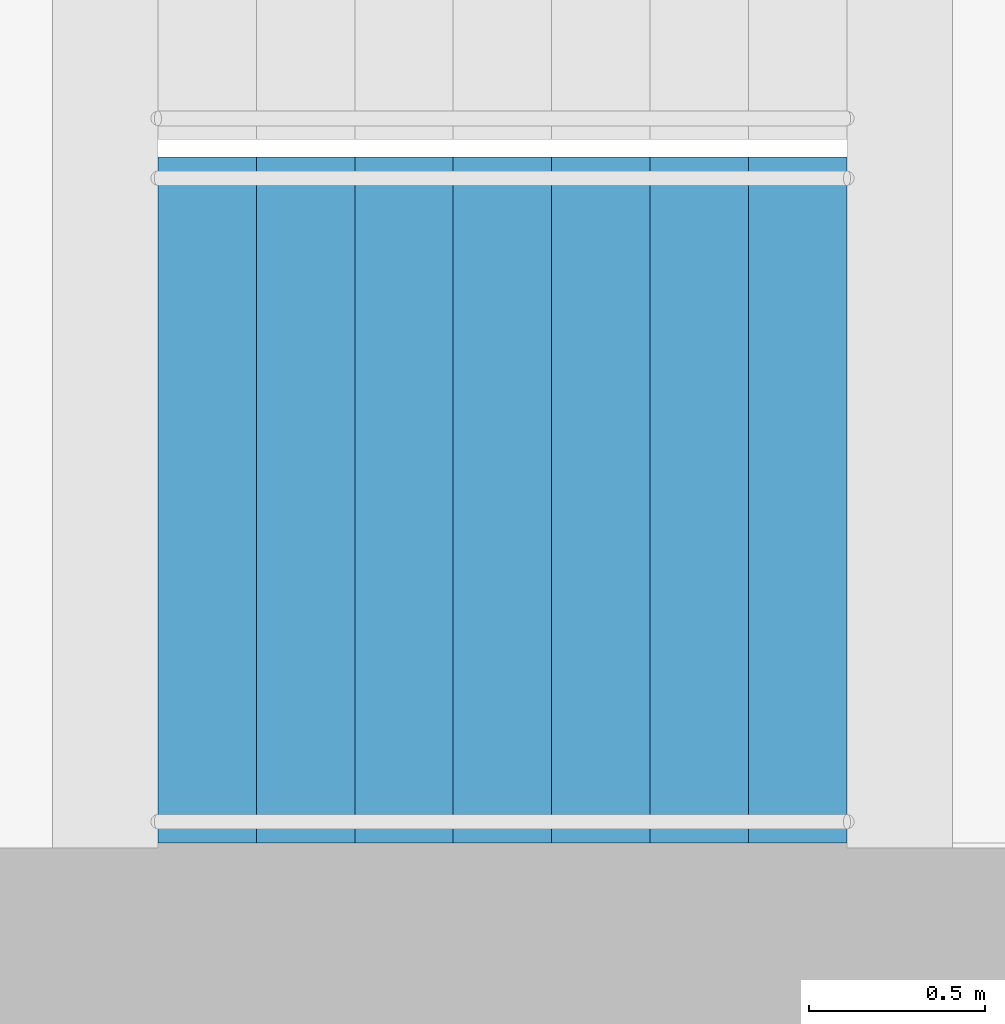
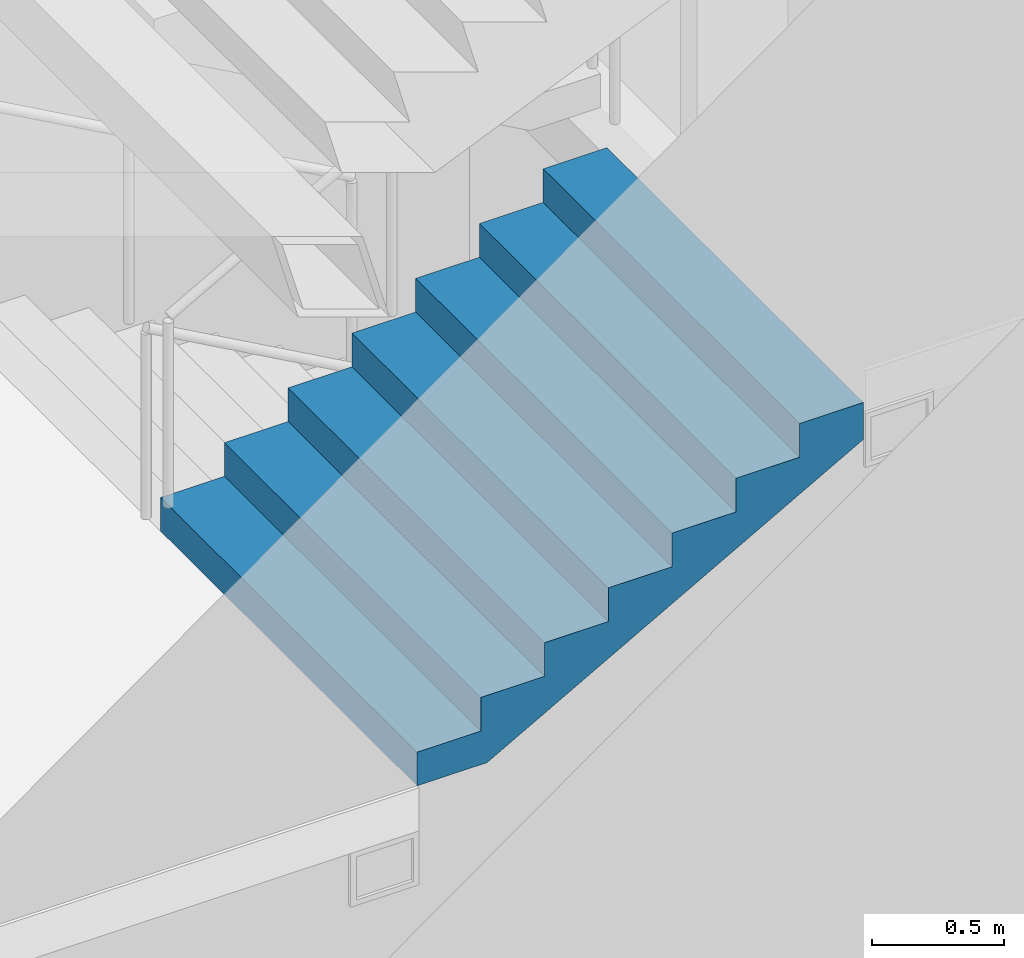
# One storey, part 22 of 26: 1 stair flight, 1 element without a shape of its own.
"""IFC4 building model written with IfcOpenShell, lengths in metres."""

from ifc_helpers import new_model, si_unit, direction, frame, origin, place, context, subcontext, project, spatial, triangles, material, type_object, element, aggregate, save


model = new_model("IFC4")

# Units and contexts
model_context = context("Model", 3, precision=1e-05, world=origin(), true_north=direction((0.0, 1.0)))
body_context = subcontext(model_context, "Body", "Model", "MODEL_VIEW")
ifc_project = project(units=[si_unit("LENGTHUNIT", "METRE"), si_unit("AREAUNIT", "SQUARE_METRE"), si_unit("VOLUMEUNIT", "CUBIC_METRE"), si_unit("PLANEANGLEUNIT", "RADIAN"), si_unit("MASSUNIT", "GRAM", prefix="KILO")], contexts=[model_context])

# Site, building, storey
site_placement = place(None, origin())
site = spatial("IfcSite", under=ifc_project, at=site_placement, CompositionType="ELEMENT")
building_placement = place(site_placement, origin())
building = spatial("IfcBuilding", under=site, at=building_placement, Name="Orbita Commons", CompositionType="ELEMENT")
storey_placement = place(building_placement, frame((0.0, 0.0, 11.0)))
storey = spatial("IfcBuildingStorey", under=building, at=storey_placement, Name="L02", CompositionType="ELEMENT", Elevation=11.0)

# Stair, stair flight
ifc_material_1 = material(Name="Precast concrete C40/50", Category="concrete")
stair_type = type_object("IfcStairType", Name="Exit stair S2 4 flights 8 risers 156", PredefinedType="HALF_TURN_STAIR", material=ifc_material_1)
stair_placement = place(storey_placement, origin())
stair = element("IfcStair", 1, at=stair_placement, inside=storey, type_object=stair_type, Name="Exit stair S2 L02", PredefinedType="HALF_TURN_STAIR")
ifc_material_2 = material(Name="Precast concrete C40/50", Category="concrete")
stair_flight_type = type_object("IfcStairFlightType", Name="Stair flight 8 risers 156 x 280", PredefinedType="STRAIGHT", material=ifc_material_2)
stair_flight_placement = place(storey_placement, frame((61.590087890625, 27.27490234375, 1.25), z_axis=(0.0, 0.0, 1.0), x_axis=(1.0, 0.0, 0.0)))
stair_flight = element("IfcStairFlight", 2, at=stair_flight_placement, type_object=stair_flight_type, Name="S2 flight 2", NumberOfRisers=8, NumberOfTreads=7, PredefinedType="STRAIGHT", RiserHeight=0.15625, TreadLength=0.28, context=body_context, shape_type="Tessellation", body=[
    triangles([(0.0, 0.974976, 0.0), (0.0, 0.974976, 0.019531), (0.0, 0.81248, 0.019531), (0.0, 0.81248, 0.0), (0.0, 0.649984, 0.019531), (0.0, 0.649984, 0.0), (0.0, 0.487488, 0.019531), (0.0, 0.487488, 0.0), (0.0, 0.324992, 0.019531), (0.0, 0.324992, 0.0), (0.0, 0.162496, 0.019531), (0.0, 0.162496, 0.0), (0.0, 0.0, 0.019531), (0.0, 0.0, 0.0), (0.0, -0.162496, 0.019531), (0.0, -0.162496, 0.0), (0.0, -0.324992, 0.019531), (0.0, -0.324992, 0.0), (0.0, -0.487488, 0.019531), (0.0, -0.487488, 0.0), (0.0, -0.649984, 0.019531), (0.0, -0.649984, 0.0), (0.0, -0.81248, 0.019531), (0.0, -0.81248, 0.0), (0.0, -0.974976, 0.019531), (0.0, -0.974976, 0.0), (0.0, 0.974976, 0.039062), (0.0, 0.81248, 0.039062), (0.0, 0.649984, 0.039062), (0.0, 0.487488, 0.039062), (0.0, 0.324992, 0.039062), (0.0, 0.162496, 0.039062), (0.0, 0.0, 0.039062), (0.0, -0.162496, 0.039062), (0.0, -0.324992, 0.039062), (0.0, -0.487488, 0.039062), (0.0, -0.649984, 0.039062), (0.0, -0.81248, 0.039062), (0.0, -0.974976, 0.039062), (0.0, 0.974976, 0.058594), (0.0, 0.81248, 0.058594), (0.0, 0.649984, 0.058594), (0.0, 0.487488, 0.058594), (0.0, 0.324992, 0.058594), (0.0, 0.162496, 0.058594), (0.0, 0.0, 0.058594), (0.0, -0.162496, 0.058594), (0.0, -0.324992, 0.058594), (0.0, -0.487488, 0.058594), (0.0, -0.649984, 0.058594), (0.0, -0.81248, 0.058594), (0.0, -0.974976, 0.058594), (0.0, 0.974976, 0.078125), (0.0, 0.81248, 0.078125), (0.0, 0.649984, 0.078125), (0.0, 0.487488, 0.078125), (0.0, 0.324992, 0.078125), (0.0, 0.162496, 0.078125), (0.0, 0.0, 0.078125), (0.0, -0.162496, 0.078125), (0.0, -0.324992, 0.078125), (0.0, -0.487488, 0.078125), (0.0, -0.649984, 0.078125), (0.0, -0.81248, 0.078125), (0.0, -0.974976, 0.078125), (0.0, 0.974976, 0.097656), (0.0, 0.81248, 0.097656), (0.0, 0.649984, 0.097656), (0.0, 0.487488, 0.097656), (0.0, 0.324992, 0.097656), (0.0, 0.162496, 0.097656), (0.0, 0.0, 0.097656), (0.0, -0.162496, 0.097656), (0.0, -0.324992, 0.097656), (0.0, -0.487488, 0.097656), (0.0, -0.649984, 0.097656), (0.0, -0.81248, 0.097656), (0.0, -0.974976, 0.097656), (0.0, 0.974976, 0.117188), (0.0, 0.81248, 0.117188), (0.0, 0.649984, 0.117188), (0.0, 0.487488, 0.117188), (0.0, 0.324992, 0.117188), (0.0, 0.162496, 0.117188), (0.0, 0.0, 0.117188), (0.0, -0.162496, 0.117188), (0.0, -0.324992, 0.117188), (0.0, -0.487488, 0.117188), (0.0, -0.649984, 0.117188), (0.0, -0.81248, 0.117188), (0.0, -0.974976, 0.117188), (0.0, 0.974976, 0.136719), (0.0, 0.81248, 0.136719), (0.0, 0.649984, 0.136719), (0.0, 0.487488, 0.136719), (0.0, 0.324992, 0.136719), (0.0, 0.162496, 0.136719), (0.0, 0.0, 0.136719), (0.0, -0.162496, 0.136719), (0.0, -0.324992, 0.136719), (0.0, -0.487488, 0.136719), (0.0, -0.649984, 0.136719), (0.0, -0.81248, 0.136719), (0.0, -0.974976, 0.136719), (0.0, 0.974976, 0.15625), (0.0, 0.81248, 0.15625), (0.0, 0.649984, 0.15625), (0.0, 0.487488, 0.15625), (0.0, 0.324992, 0.15625), (0.0, 0.162496, 0.15625), (0.0, 0.0, 0.15625), (0.0, -0.162496, 0.15625), (0.0, -0.324992, 0.15625), (0.0, -0.487488, 0.15625), (0.0, -0.649984, 0.15625), (0.0, -0.81248, 0.15625), (0.0, -0.974976, 0.15625), (0.28, 0.974976, 0.15625), (0.28, 0.81248, 0.15625), (0.28, 0.649984, 0.15625), (0.28, 0.487488, 0.15625), (0.28, 0.324992, 0.15625), (0.28, 0.162496, 0.15625), (0.28, 0.0, 0.15625), (0.28, -0.162496, 0.15625), (0.28, -0.324992, 0.15625), (0.28, -0.487488, 0.15625), (0.28, -0.649984, 0.15625), (0.28, -0.81248, 0.15625), (0.28, -0.974976, 0.15625), (0.28, 0.974976, 0.3125), (0.28, 0.81248, 0.3125), (0.28, 0.649984, 0.3125), (0.28, 0.487488, 0.3125), (0.28, 0.324992, 0.3125), (0.28, 0.162496, 0.3125), (0.28, 0.0, 0.3125), (0.28, -0.162496, 0.3125), (0.28, -0.324992, 0.3125), (0.28, -0.487488, 0.3125), (0.28, -0.649984, 0.3125), (0.28, -0.81248, 0.3125), (0.28, -0.974976, 0.3125), (0.56, 0.974976, 0.3125), (0.56, 0.81248, 0.3125), (0.56, 0.649984, 0.3125), (0.56, 0.487488, 0.3125), (0.56, 0.324992, 0.3125), (0.56, 0.162496, 0.3125), (0.56, 0.0, 0.3125), (0.56, -0.162496, 0.3125), (0.56, -0.324992, 0.3125), (0.56, -0.487488, 0.3125), (0.56, -0.649984, 0.3125), (0.56, -0.81248, 0.3125), (0.56, -0.974976, 0.3125), (0.56, 0.974976, 0.46875), (0.56, 0.81248, 0.46875), (0.56, 0.649984, 0.46875), (0.56, 0.487488, 0.46875), (0.56, 0.324992, 0.46875), (0.56, 0.162496, 0.46875), (0.56, 0.0, 0.46875), (0.56, -0.162496, 0.46875), (0.56, -0.324992, 0.46875), (0.56, -0.487488, 0.46875), (0.56, -0.649984, 0.46875), (0.56, -0.81248, 0.46875), (0.56, -0.974976, 0.46875), (0.84, 0.974976, 0.46875), (0.84, 0.81248, 0.46875), (0.84, 0.649984, 0.46875), (0.84, 0.487488, 0.46875), (0.84, 0.324992, 0.46875), (0.84, 0.162496, 0.46875), (0.84, 0.0, 0.46875), (0.84, -0.162496, 0.46875), (0.84, -0.324992, 0.46875), (0.84, -0.487488, 0.46875), (0.84, -0.649984, 0.46875), (0.84, -0.81248, 0.46875), (0.84, -0.974976, 0.46875), (0.84, 0.974976, 0.625), (0.84, 0.81248, 0.625), (0.84, 0.649984, 0.625), (0.84, 0.487488, 0.625), (0.84, 0.324992, 0.625), (0.84, 0.162496, 0.625), (0.84, 0.0, 0.625), (0.84, -0.162496, 0.625), (0.84, -0.324992, 0.625), (0.84, -0.487488, 0.625), (0.84, -0.649984, 0.625), (0.84, -0.81248, 0.625), (0.84, -0.974976, 0.625), (1.12, 0.974976, 0.625), (1.12, 0.81248, 0.625), (1.12, 0.649984, 0.625), (1.12, 0.487488, 0.625), (1.12, 0.324992, 0.625), (1.12, 0.162496, 0.625), (1.12, 0.0, 0.625), (1.12, -0.162496, 0.625), (1.12, -0.324992, 0.625), (1.12, -0.487488, 0.625), (1.12, -0.649984, 0.625), (1.12, -0.81248, 0.625), (1.12, -0.974976, 0.625), (1.12, 0.974976, 0.78125), (1.12, 0.81248, 0.78125), (1.12, 0.649984, 0.78125), (1.12, 0.487488, 0.78125), (1.12, 0.324992, 0.78125), (1.12, 0.162496, 0.78125), (1.12, 0.0, 0.78125), (1.12, -0.162496, 0.78125), (1.12, -0.324992, 0.78125), (1.12, -0.487488, 0.78125), (1.12, -0.649984, 0.78125), (1.12, -0.81248, 0.78125), (1.12, -0.974976, 0.78125), (1.4, 0.974976, 0.78125), (1.4, 0.81248, 0.78125), (1.4, 0.649984, 0.78125), (1.4, 0.487488, 0.78125), (1.4, 0.324992, 0.78125), (1.4, 0.162496, 0.78125), (1.4, 0.0, 0.78125), (1.4, -0.162496, 0.78125), (1.4, -0.324992, 0.78125), (1.4, -0.487488, 0.78125), (1.4, -0.649984, 0.78125), (1.4, -0.81248, 0.78125), (1.4, -0.974976, 0.78125), (1.4, 0.974976, 0.9375), (1.4, 0.81248, 0.9375), (1.4, 0.649984, 0.9375), (1.4, 0.487488, 0.9375), (1.4, 0.324992, 0.9375), (1.4, 0.162496, 0.9375), (1.4, 0.0, 0.9375), (1.4, -0.162496, 0.9375), (1.4, -0.324992, 0.9375), (1.4, -0.487488, 0.9375), (1.4, -0.649984, 0.9375), (1.4, -0.81248, 0.9375), (1.4, -0.974976, 0.9375), (1.68, 0.974976, 0.9375), (1.68, 0.81248, 0.9375), (1.68, 0.649984, 0.9375), (1.68, 0.487488, 0.9375), (1.68, 0.324992, 0.9375), (1.68, 0.162496, 0.9375), (1.68, 0.0, 0.9375), (1.68, -0.162496, 0.9375), (1.68, -0.324992, 0.9375), (1.68, -0.487488, 0.9375), (1.68, -0.649984, 0.9375), (1.68, -0.81248, 0.9375), (1.68, -0.974976, 0.9375), (1.68, 0.974976, 1.09375), (1.68, 0.81248, 1.09375), (1.68, 0.649984, 1.09375), (1.68, 0.487488, 1.09375), (1.68, 0.324992, 1.09375), (1.68, 0.162496, 1.09375), (1.68, 0.0, 1.09375), (1.68, -0.162496, 1.09375), (1.68, -0.324992, 1.09375), (1.68, -0.487488, 1.09375), (1.68, -0.649984, 1.09375), (1.68, -0.81248, 1.09375), (1.68, -0.974976, 1.09375), (1.96, 0.974976, 1.09375), (1.96, 0.81248, 1.09375), (1.96, 0.649984, 1.09375), (1.96, 0.487488, 1.09375), (1.96, 0.324992, 1.09375), (1.96, 0.162496, 1.09375), (1.96, 0.0, 1.09375), (1.96, -0.162496, 1.09375), (1.96, -0.324992, 1.09375), (1.96, -0.487488, 1.09375), (1.96, -0.649984, 1.09375), (1.96, -0.81248, 1.09375), (1.96, -0.974976, 1.09375), (1.96, 0.974976, 1.072292), (1.96, 0.81248, 1.072292), (1.96, 0.649984, 1.072292), (1.96, 0.487488, 1.072292), (1.96, 0.324992, 1.072292), (1.96, 0.162496, 1.072292), (1.96, 0.0, 1.072292), (1.96, -0.162496, 1.072292), (1.96, -0.324992, 1.072292), (1.96, -0.487488, 1.072292), (1.96, -0.649984, 1.072292), (1.96, -0.81248, 1.072292), (1.96, -0.974976, 1.072292), (1.96, 0.974976, 1.050834), (1.96, 0.81248, 1.050834), (1.96, 0.649984, 1.050834), (1.96, 0.487488, 1.050834), (1.96, 0.324992, 1.050834), (1.96, 0.162496, 1.050834), (1.96, 0.0, 1.050834), (1.96, -0.162496, 1.050834), (1.96, -0.324992, 1.050834), (1.96, -0.487488, 1.050834), (1.96, -0.649984, 1.050834), (1.96, -0.81248, 1.050834), (1.96, -0.974976, 1.050834), (1.96, 0.974976, 1.029376), (1.96, 0.81248, 1.029376), (1.96, 0.649984, 1.029376), (1.96, 0.487488, 1.029376), (1.96, 0.324992, 1.029376), (1.96, 0.162496, 1.029376), (1.96, 0.0, 1.029376), (1.96, -0.162496, 1.029376), (1.96, -0.324992, 1.029376), (1.96, -0.487488, 1.029376), (1.96, -0.649984, 1.029376), (1.96, -0.81248, 1.029376), (1.96, -0.974976, 1.029376), (1.96, 0.974976, 1.007919), (1.96, 0.81248, 1.007919), (1.96, 0.649984, 1.007919), (1.96, 0.487488, 1.007919), (1.96, 0.324992, 1.007919), (1.96, 0.162496, 1.007919), (1.96, 0.0, 1.007919), (1.96, -0.162496, 1.007919), (1.96, -0.324992, 1.007919), (1.96, -0.487488, 1.007919), (1.96, -0.649984, 1.007919), (1.96, -0.81248, 1.007919), (1.96, -0.974976, 1.007919), (1.96, 0.974976, 0.986461), (1.96, 0.81248, 0.986461), (1.96, 0.649984, 0.986461), (1.96, 0.487488, 0.986461), (1.96, 0.324992, 0.986461), (1.96, 0.162496, 0.986461), (1.96, 0.0, 0.986461), (1.96, -0.162496, 0.986461), (1.96, -0.324992, 0.986461), (1.96, -0.487488, 0.986461), (1.96, -0.649984, 0.986461), (1.96, -0.81248, 0.986461), (1.96, -0.974976, 0.986461), (1.96, 0.974976, 0.965003), (1.96, 0.81248, 0.965003), (1.96, 0.649984, 0.965003), (1.96, 0.487488, 0.965003), (1.96, 0.324992, 0.965003), (1.96, 0.162496, 0.965003), (1.96, 0.0, 0.965003), (1.96, -0.162496, 0.965003), (1.96, -0.324992, 0.965003), (1.96, -0.487488, 0.965003), (1.96, -0.649984, 0.965003), (1.96, -0.81248, 0.965003), (1.96, -0.974976, 0.965003), (1.96, 0.974976, 0.943545), (1.96, 0.81248, 0.943545), (1.96, 0.649984, 0.943545), (1.96, 0.487488, 0.943545), (1.96, 0.324992, 0.943545), (1.96, 0.162496, 0.943545), (1.96, 0.0, 0.943545), (1.96, -0.162496, 0.943545), (1.96, -0.324992, 0.943545), (1.96, -0.487488, 0.943545), (1.96, -0.649984, 0.943545), (1.96, -0.81248, 0.943545), (1.96, -0.974976, 0.943545), (1.96, 0.974976, 0.922087), (1.96, 0.81248, 0.922087), (1.96, 0.649984, 0.922087), (1.96, 0.487488, 0.922087), (1.96, 0.324992, 0.922087), (1.96, 0.162496, 0.922087), (1.96, 0.0, 0.922087), (1.96, -0.162496, 0.922087), (1.96, -0.324992, 0.922087), (1.96, -0.487488, 0.922087), (1.96, -0.649984, 0.922087), (1.96, -0.81248, 0.922087), (1.96, -0.974976, 0.922087), (0.30762, 0.974976, 0.0), (0.30762, 0.81248, 0.0), (0.30762, 0.649984, 0.0), (0.30762, 0.487488, 0.0), (0.30762, 0.324992, 0.0), (0.30762, 0.162496, 0.0), (0.30762, 0.0, 0.0), (0.30762, -0.162496, 0.0), (0.30762, -0.324992, 0.0), (0.30762, -0.487488, 0.0), (0.30762, -0.649984, 0.0), (0.30762, -0.81248, 0.0), (0.30762, -0.974976, 0.0)], [[3, 2, 1], [4, 3, 1], [5, 3, 4], [6, 5, 4], [7, 5, 6], [8, 7, 6], [9, 7, 8], [10, 9, 8], [11, 9, 10], [12, 11, 10], [13, 11, 12], [14, 13, 12], [15, 13, 14], [16, 15, 14], [17, 15, 16], [18, 17, 16], [19, 17, 18], [20, 19, 18], [21, 19, 20], [22, 21, 20], [23, 21, 22], [24, 23, 22], [25, 23, 24], [26, 25, 24], [28, 27, 2], [3, 28, 2], [29, 28, 3], [5, 29, 3], [30, 29, 5], [7, 30, 5], [31, 30, 7], [9, 31, 7], [32, 31, 9], [11, 32, 9], [33, 32, 11], [13, 33, 11], [34, 33, 13], [15, 34, 13], [35, 34, 15], [17, 35, 15], [36, 35, 17], [19, 36, 17], [37, 36, 19], [21, 37, 19], [38, 37, 21], [23, 38, 21], [39, 38, 23], [25, 39, 23], [41, 40, 27], [28, 41, 27], [42, 41, 28], [29, 42, 28], [43, 42, 29], [30, 43, 29], [44, 43, 30], [31, 44, 30], [45, 44, 31], [32, 45, 31], [46, 45, 32], [33, 46, 32], [47, 46, 33], [34, 47, 33], [48, 47, 34], [35, 48, 34], [49, 48, 35], [36, 49, 35], [50, 49, 36], [37, 50, 36], [51, 50, 37], [38, 51, 37], [52, 51, 38], [39, 52, 38], [54, 53, 40], [41, 54, 40], [55, 54, 41], [42, 55, 41], [56, 55, 42], [43, 56, 42], [57, 56, 43], [44, 57, 43], [58, 57, 44], [45, 58, 44], [59, 58, 45], [46, 59, 45], [60, 59, 46], [47, 60, 46], [61, 60, 47], [48, 61, 47], [62, 61, 48], [49, 62, 48], [63, 62, 49], [50, 63, 49], [64, 63, 50], [51, 64, 50], [65, 64, 51], [52, 65, 51], [67, 66, 53], [54, 67, 53], [68, 67, 54], [55, 68, 54], [69, 68, 55], [56, 69, 55], [70, 69, 56], [57, 70, 56], [71, 70, 57], [58, 71, 57], [72, 71, 58], [59, 72, 58], [73, 72, 59], [60, 73, 59], [74, 73, 60], [61, 74, 60], [75, 74, 61], [62, 75, 61], [76, 75, 62], [63, 76, 62], [77, 76, 63], [64, 77, 63], [78, 77, 64], [65, 78, 64], [80, 79, 66], [67, 80, 66], [81, 80, 67], [68, 81, 67], [82, 81, 68], [69, 82, 68], [83, 82, 69], [70, 83, 69], [84, 83, 70], [71, 84, 70], [85, 84, 71], [72, 85, 71], [86, 85, 72], [73, 86, 72], [87, 86, 73], [74, 87, 73], [88, 87, 74], [75, 88, 74], [89, 88, 75], [76, 89, 75], [90, 89, 76], [77, 90, 76], [91, 90, 77], [78, 91, 77], [93, 92, 79], [80, 93, 79], [94, 93, 80], [81, 94, 80], [95, 94, 81], [82, 95, 81], [96, 95, 82], [83, 96, 82], [97, 96, 83], [84, 97, 83], [98, 97, 84], [85, 98, 84], [99, 98, 85], [86, 99, 85], [100, 99, 86], [87, 100, 86], [101, 100, 87], [88, 101, 87], [102, 101, 88], [89, 102, 88], [103, 102, 89], [90, 103, 89], [104, 103, 90], [91, 104, 90], [106, 105, 92], [93, 106, 92], [107, 106, 93], [94, 107, 93], [108, 107, 94], [95, 108, 94], [109, 108, 95], [96, 109, 95], [110, 109, 96], [97, 110, 96], [111, 110, 97], [98, 111, 97], [112, 111, 98], [99, 112, 98], [113, 112, 99], [100, 113, 99], [114, 113, 100], [101, 114, 100], [115, 114, 101], [102, 115, 101], [116, 115, 102], [103, 116, 102], [117, 116, 103], [104, 117, 103], [119, 118, 105], [106, 119, 105], [120, 119, 106], [107, 120, 106], [121, 120, 107], [108, 121, 107], [122, 121, 108], [109, 122, 108], [123, 122, 109], [110, 123, 109], [124, 123, 110], [111, 124, 110], [125, 124, 111], [112, 125, 111], [126, 125, 112], [113, 126, 112], [127, 126, 113], [114, 127, 113], [128, 127, 114], [115, 128, 114], [129, 128, 115], [116, 129, 115], [130, 129, 116], [117, 130, 116], [132, 131, 118], [119, 132, 118], [133, 132, 119], [120, 133, 119], [134, 133, 120], [121, 134, 120], [135, 134, 121], [122, 135, 121], [136, 135, 122], [123, 136, 122], [137, 136, 123], [124, 137, 123], [138, 137, 124], [125, 138, 124], [139, 138, 125], [126, 139, 125], [140, 139, 126], [127, 140, 126], [141, 140, 127], [128, 141, 127], [142, 141, 128], [129, 142, 128], [143, 142, 129], [130, 143, 129], [145, 144, 131], [132, 145, 131], [146, 145, 132], [133, 146, 132], [147, 146, 133], [134, 147, 133], [148, 147, 134], [135, 148, 134], [149, 148, 135], [136, 149, 135], [150, 149, 136], [137, 150, 136], [151, 150, 137], [138, 151, 137], [152, 151, 138], [139, 152, 138], [153, 152, 139], [140, 153, 139], [154, 153, 140], [141, 154, 140], [155, 154, 141], [142, 155, 141], [156, 155, 142], [143, 156, 142], [158, 157, 144], [145, 158, 144], [159, 158, 145], [146, 159, 145], [160, 159, 146], [147, 160, 146], [161, 160, 147], [148, 161, 147], [162, 161, 148], [149, 162, 148], [163, 162, 149], [150, 163, 149], [164, 163, 150], [151, 164, 150], [165, 164, 151], [152, 165, 151], [166, 165, 152], [153, 166, 152], [167, 166, 153], [154, 167, 153], [168, 167, 154], [155, 168, 154], [169, 168, 155], [156, 169, 155], [171, 170, 157], [158, 171, 157], [172, 171, 158], [159, 172, 158], [173, 172, 159], [160, 173, 159], [174, 173, 160], [161, 174, 160], [175, 174, 161], [162, 175, 161], [176, 175, 162], [163, 176, 162], [177, 176, 163], [164, 177, 163], [178, 177, 164], [165, 178, 164], [179, 178, 165], [166, 179, 165], [180, 179, 166], [167, 180, 166], [181, 180, 167], [168, 181, 167], [182, 181, 168], [169, 182, 168], [184, 183, 170], [171, 184, 170], [185, 184, 171], [172, 185, 171], [186, 185, 172], [173, 186, 172], [187, 186, 173], [174, 187, 173], [188, 187, 174], [175, 188, 174], [189, 188, 175], [176, 189, 175], [190, 189, 176], [177, 190, 176], [191, 190, 177], [178, 191, 177], [192, 191, 178], [179, 192, 178], [193, 192, 179], [180, 193, 179], [194, 193, 180], [181, 194, 180], [195, 194, 181], [182, 195, 181], [197, 196, 183], [184, 197, 183], [198, 197, 184], [185, 198, 184], [199, 198, 185], [186, 199, 185], [200, 199, 186], [187, 200, 186], [201, 200, 187], [188, 201, 187], [202, 201, 188], [189, 202, 188], [203, 202, 189], [190, 203, 189], [204, 203, 190], [191, 204, 190], [205, 204, 191], [192, 205, 191], [206, 205, 192], [193, 206, 192], [207, 206, 193], [194, 207, 193], [208, 207, 194], [195, 208, 194], [210, 209, 196], [197, 210, 196], [211, 210, 197], [198, 211, 197], [212, 211, 198], [199, 212, 198], [213, 212, 199], [200, 213, 199], [214, 213, 200], [201, 214, 200], [215, 214, 201], [202, 215, 201], [216, 215, 202], [203, 216, 202], [217, 216, 203], [204, 217, 203], [218, 217, 204], [205, 218, 204], [219, 218, 205], [206, 219, 205], [220, 219, 206], [207, 220, 206], [221, 220, 207], [208, 221, 207], [223, 222, 209], [210, 223, 209], [224, 223, 210], [211, 224, 210], [225, 224, 211], [212, 225, 211], [226, 225, 212], [213, 226, 212], [227, 226, 213], [214, 227, 213], [228, 227, 214], [215, 228, 214], [229, 228, 215], [216, 229, 215], [230, 229, 216], [217, 230, 216], [231, 230, 217], [218, 231, 217], [232, 231, 218], [219, 232, 218], [233, 232, 219], [220, 233, 219], [234, 233, 220], [221, 234, 220], [236, 235, 222], [223, 236, 222], [237, 236, 223], [224, 237, 223], [238, 237, 224], [225, 238, 224], [239, 238, 225], [226, 239, 225], [240, 239, 226], [227, 240, 226], [241, 240, 227], [228, 241, 227], [242, 241, 228], [229, 242, 228], [243, 242, 229], [230, 243, 229], [244, 243, 230], [231, 244, 230], [245, 244, 231], [232, 245, 231], [246, 245, 232], [233, 246, 232], [247, 246, 233], [234, 247, 233], [249, 248, 235], [236, 249, 235], [250, 249, 236], [237, 250, 236], [251, 250, 237], [238, 251, 237], [252, 251, 238], [239, 252, 238], [253, 252, 239], [240, 253, 239], [254, 253, 240], [241, 254, 240], [255, 254, 241], [242, 255, 241], [256, 255, 242], [243, 256, 242], [257, 256, 243], [244, 257, 243], [258, 257, 244], [245, 258, 244], [259, 258, 245], [246, 259, 245], [260, 259, 246], [247, 260, 246], [262, 261, 248], [249, 262, 248], [263, 262, 249], [250, 263, 249], [264, 263, 250], [251, 264, 250], [265, 264, 251], [252, 265, 251], [266, 265, 252], [253, 266, 252], [267, 266, 253], [254, 267, 253], [268, 267, 254], [255, 268, 254], [269, 268, 255], [256, 269, 255], [270, 269, 256], [257, 270, 256], [271, 270, 257], [258, 271, 257], [272, 271, 258], [259, 272, 258], [273, 272, 259], [260, 273, 259], [275, 274, 261], [262, 275, 261], [276, 275, 262], [263, 276, 262], [277, 276, 263], [264, 277, 263], [278, 277, 264], [265, 278, 264], [279, 278, 265], [266, 279, 265], [280, 279, 266], [267, 280, 266], [281, 280, 267], [268, 281, 267], [282, 281, 268], [269, 282, 268], [283, 282, 269], [270, 283, 269], [284, 283, 270], [271, 284, 270], [285, 284, 271], [272, 285, 271], [286, 285, 272], [273, 286, 272], [288, 287, 274], [275, 288, 274], [289, 288, 275], [276, 289, 275], [290, 289, 276], [277, 290, 276], [291, 290, 277], [278, 291, 277], [292, 291, 278], [279, 292, 278], [293, 292, 279], [280, 293, 279], [294, 293, 280], [281, 294, 280], [295, 294, 281], [282, 295, 281], [296, 295, 282], [283, 296, 282], [297, 296, 283], [284, 297, 283], [298, 297, 284], [285, 298, 284], [299, 298, 285], [286, 299, 285], [301, 300, 287], [288, 301, 287], [302, 301, 288], [289, 302, 288], [303, 302, 289], [290, 303, 289], [304, 303, 290], [291, 304, 290], [305, 304, 291], [292, 305, 291], [306, 305, 292], [293, 306, 292], [307, 306, 293], [294, 307, 293], [308, 307, 294], [295, 308, 294], [309, 308, 295], [296, 309, 295], [310, 309, 296], [297, 310, 296], [311, 310, 297], [298, 311, 297], [312, 311, 298], [299, 312, 298], [314, 313, 300], [301, 314, 300], [315, 314, 301], [302, 315, 301], [316, 315, 302], [303, 316, 302], [317, 316, 303], [304, 317, 303], [318, 317, 304], [305, 318, 304], [319, 318, 305], [306, 319, 305], [320, 319, 306], [307, 320, 306], [321, 320, 307], [308, 321, 307], [322, 321, 308], [309, 322, 308], [323, 322, 309], [310, 323, 309], [324, 323, 310], [311, 324, 310], [325, 324, 311], [312, 325, 311], [327, 326, 313], [314, 327, 313], [328, 327, 314], [315, 328, 314], [329, 328, 315], [316, 329, 315], [330, 329, 316], [317, 330, 316], [331, 330, 317], [318, 331, 317], [332, 331, 318], [319, 332, 318], [333, 332, 319], [320, 333, 319], [334, 333, 320], [321, 334, 320], [335, 334, 321], [322, 335, 321], [336, 335, 322], [323, 336, 322], [337, 336, 323], [324, 337, 323], [338, 337, 324], [325, 338, 324], [340, 339, 326], [327, 340, 326], [341, 340, 327], [328, 341, 327], [342, 341, 328], [329, 342, 328], [343, 342, 329], [330, 343, 329], [344, 343, 330], [331, 344, 330], [345, 344, 331], [332, 345, 331], [346, 345, 332], [333, 346, 332], [347, 346, 333], [334, 347, 333], [348, 347, 334], [335, 348, 334], [349, 348, 335], [336, 349, 335], [350, 349, 336], [337, 350, 336], [351, 350, 337], [338, 351, 337], [353, 352, 339], [340, 353, 339], [354, 353, 340], [341, 354, 340], [355, 354, 341], [342, 355, 341], [356, 355, 342], [343, 356, 342], [357, 356, 343], [344, 357, 343], [358, 357, 344], [345, 358, 344], [359, 358, 345], [346, 359, 345], [360, 359, 346], [347, 360, 346], [361, 360, 347], [348, 361, 347], [362, 361, 348], [349, 362, 348], [363, 362, 349], [350, 363, 349], [364, 363, 350], [351, 364, 350], [366, 365, 352], [353, 366, 352], [367, 366, 353], [354, 367, 353], [368, 367, 354], [355, 368, 354], [369, 368, 355], [356, 369, 355], [370, 369, 356], [357, 370, 356], [371, 370, 357], [358, 371, 357], [372, 371, 358], [359, 372, 358], [373, 372, 359], [360, 373, 359], [374, 373, 360], [361, 374, 360], [375, 374, 361], [362, 375, 361], [376, 375, 362], [363, 376, 362], [377, 376, 363], [364, 377, 363], [379, 378, 365], [366, 379, 365], [380, 379, 366], [367, 380, 366], [381, 380, 367], [368, 381, 367], [382, 381, 368], [369, 382, 368], [383, 382, 369], [370, 383, 369], [384, 383, 370], [371, 384, 370], [385, 384, 371], [372, 385, 371], [386, 385, 372], [373, 386, 372], [387, 386, 373], [374, 387, 373], [388, 387, 374], [375, 388, 374], [389, 388, 375], [376, 389, 375], [390, 389, 376], [377, 390, 376], [392, 391, 378], [379, 392, 378], [393, 392, 379], [380, 393, 379], [394, 393, 380], [381, 394, 380], [395, 394, 381], [382, 395, 381], [396, 395, 382], [383, 396, 382], [397, 396, 383], [384, 397, 383], [398, 397, 384], [385, 398, 384], [399, 398, 385], [386, 399, 385], [400, 399, 386], [387, 400, 386], [401, 400, 387], [388, 401, 387], [402, 401, 388], [389, 402, 388], [403, 402, 389], [390, 403, 389], [4, 1, 391], [392, 4, 391], [6, 4, 392], [393, 6, 392], [8, 6, 393], [394, 8, 393], [10, 8, 394], [395, 10, 394], [12, 10, 395], [396, 12, 395], [14, 12, 396], [397, 14, 396], [16, 14, 397], [398, 16, 397], [18, 16, 398], [399, 18, 398], [20, 18, 399], [400, 20, 399], [22, 20, 400], [401, 22, 400], [24, 22, 401], [402, 24, 401], [26, 24, 402], [403, 26, 402], [378, 391, 1], [26, 403, 390], [365, 378, 1], [26, 390, 377], [352, 365, 1], [26, 377, 364], [339, 352, 1], [26, 364, 351], [326, 339, 1], [26, 351, 338], [313, 326, 1], [26, 338, 325], [300, 313, 1], [26, 325, 312], [287, 300, 1], [26, 312, 299], [261, 274, 287], [299, 286, 273], [248, 261, 287], [299, 273, 260], [222, 235, 248], [260, 247, 234], [222, 248, 287], [299, 260, 234], [196, 209, 222], [234, 221, 208], [196, 222, 287], [299, 234, 208], [170, 183, 196], [208, 195, 182], [170, 196, 287], [299, 208, 182], [144, 157, 170], [182, 169, 156], [144, 170, 287], [299, 182, 156], [118, 131, 144], [156, 143, 130], [118, 144, 287], [299, 156, 130], [118, 287, 1], [26, 299, 130], [92, 105, 118], [130, 117, 104], [79, 92, 118], [130, 104, 91], [66, 79, 118], [130, 91, 78], [53, 66, 118], [130, 78, 65], [40, 53, 118], [130, 65, 52], [27, 40, 118], [130, 52, 39], [2, 27, 118], [130, 39, 25], [1, 2, 118], [130, 25, 26]], closed=True),
])
aggregate(stair, [stair_flight])

save(model, "model.ifc")
